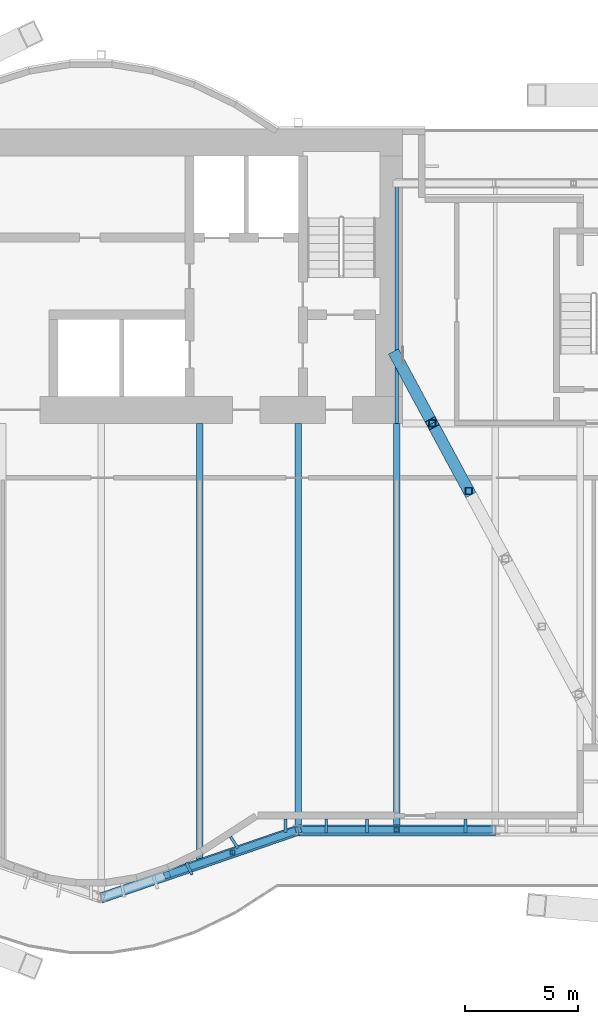
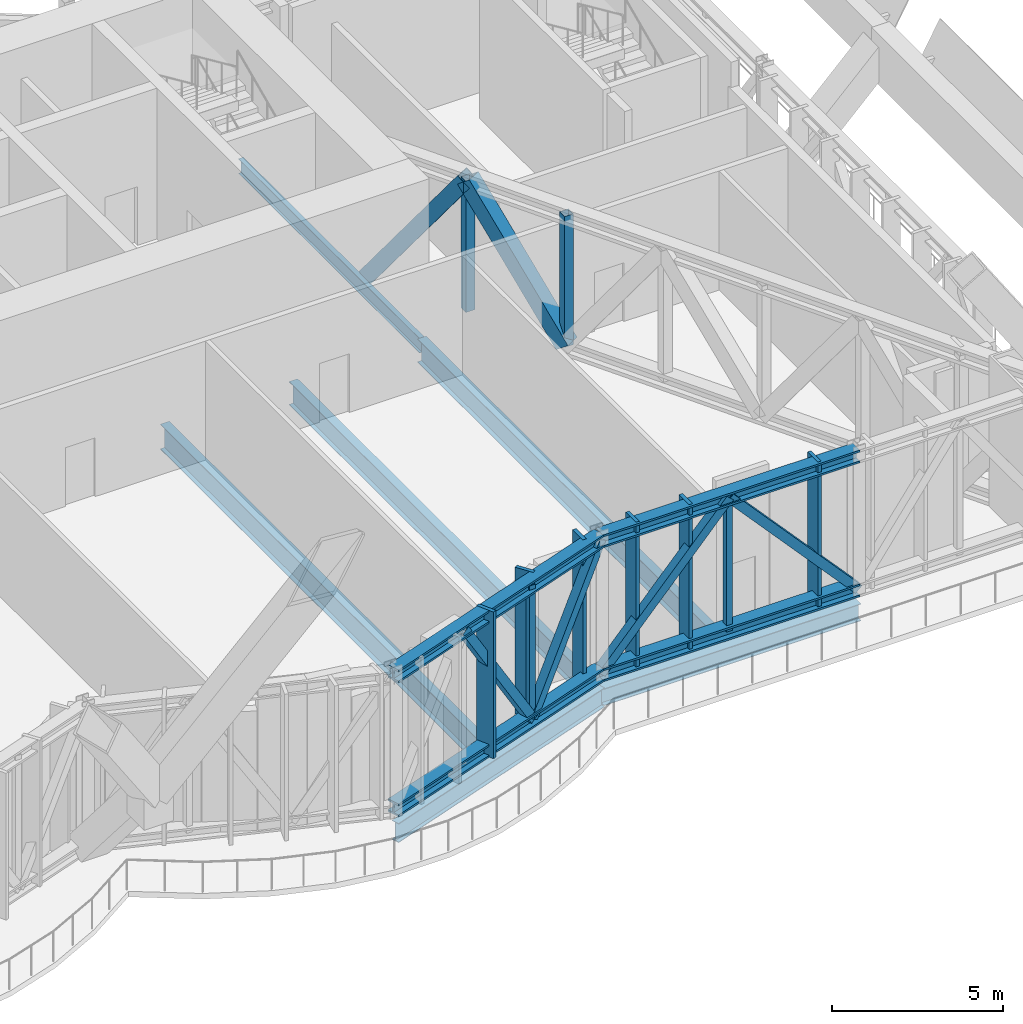
# One storey, part 11 of 30: 20 members, 6 beams, 1 element without a shape of its own.
"""IFC4 building model written with IfcOpenShell, lengths in metres."""

from ifc_helpers import new_model, si_unit, direction, frame, origin, origin_2d, place, context, subcontext, project, spatial, rectangle, hollow_rectangle, i_section, extrude, material, material_profile, profile_set, type_object, element, aggregate, save


model = new_model("IFC4")

# Units and contexts
model_context = context("Model", 3, precision=1e-05, world=origin(), true_north=direction((0.0, 1.0)))
body_context = subcontext(model_context, "Body", "Model", "MODEL_VIEW")
ifc_project = project(units=[si_unit("LENGTHUNIT", "METRE"), si_unit("AREAUNIT", "SQUARE_METRE"), si_unit("VOLUMEUNIT", "CUBIC_METRE"), si_unit("PLANEANGLEUNIT", "RADIAN"), si_unit("MASSUNIT", "GRAM", prefix="KILO")], contexts=[model_context])

# Site, building, storey
site_placement = place(None, origin())
site = spatial("IfcSite", under=ifc_project, at=site_placement, CompositionType="ELEMENT")
building_placement = place(site_placement, origin())
building = spatial("IfcBuilding", under=site, at=building_placement, Name="Bicima Exchange Tower", CompositionType="ELEMENT")
storey_placement = place(building_placement, frame((0.0, 0.0, 185.5)))
storey = spatial("IfcBuildingStorey", under=building, at=storey_placement, Name="L41", CompositionType="ELEMENT", Elevation=185.5)

# Curtain wall, members
ifc_material_1 = material(Name="Anodised bronze aluminium", Category="aluminium")
curtain_wall_type = type_object("IfcCurtainWallType", Name="Band blade screen", PredefinedType="NOTDEFINED", material=ifc_material_1)
curtain_wall_placement = place(storey_placement, origin())
curtain_wall = element("IfcCurtainWall", 1, at=curtain_wall_placement, inside=storey, type_object=curtain_wall_type, Name="Band blade screen L41", PredefinedType="NOTDEFINED")
ifc_material_profile_1 = material_profile(ifc_material_1, rectangle(XDim=0.60009765625, YDim=0.1201171875, at=origin_2d()))
ifc_profile_set_1 = profile_set([ifc_material_profile_1], Name="Anodised bronze aluminium")
member_type_1 = type_object("IfcMemberType", Name="Band blade fin 600 x 120", PredefinedType="USERDEFINED", material=ifc_profile_set_1)
member_1_placement = place(storey_placement, frame((12.583740234375, -32.654541015625, 0.0), z_axis=(0.0, 0.0, 1.0), x_axis=(-0.436286748784, 0.899807686584, 0.0)))
member_1 = element("IfcMember", 2, at=member_1_placement, type_object=member_type_1, Name="Band blade fin 47", ObjectType="FIN", PredefinedType="USERDEFINED", context=body_context, shape_type="SweptSolid", body=[
    extrude(rectangle(XDim=0.60009765625, YDim=0.1201171875, at=origin_2d()), origin(), (0.0, 0.0, 1.0), 5.25),
])
member_2_placement = place(storey_placement, frame((14.5703125, -31.492431640625, 0.0), z_axis=(0.0, 0.0, 1.0), x_axis=(-0.542916511621, 0.839786676132, 0.0)))
member_2 = element("IfcMember", 3, at=member_2_placement, type_object=member_type_1, Name="Band blade fin 48", ObjectType="FIN", PredefinedType="USERDEFINED", context=body_context, shape_type="SweptSolid", body=[
    extrude(rectangle(XDim=0.60009765625, YDim=0.1201171875, at=origin_2d()), origin(), (0.0, 0.0, 1.0), 5.25),
])
member_3_placement = place(storey_placement, frame((16.832275390625, -30.760009765625, 0.0), z_axis=(0.0, 0.0, 1.0), x_axis=(0.0, 1.0, 0.0)))
member_3 = element("IfcMember", 4, at=member_3_placement, type_object=member_type_1, Name="Band blade fin 49", ObjectType="FIN", PredefinedType="USERDEFINED", context=body_context, shape_type="SweptSolid", body=[
    extrude(rectangle(XDim=0.60009765625, YDim=0.1201171875, at=origin_2d()), origin(), (0.0, 0.0, 1.0), 5.25),
])
member_4_placement = place(storey_placement, frame((18.63232421875, -30.760009765625, 0.0), z_axis=(0.0, 0.0, 1.0), x_axis=(0.0, 1.0, 0.0)))
member_4 = element("IfcMember", 5, at=member_4_placement, type_object=member_type_1, Name="Band blade fin 50", ObjectType="FIN", PredefinedType="USERDEFINED", context=body_context, shape_type="SweptSolid", body=[
    extrude(rectangle(XDim=0.60009765625, YDim=0.1201171875, at=origin_2d()), origin(), (0.0, 0.0, 1.0), 5.25),
])
member_5_placement = place(storey_placement, frame((20.432373046875, -30.760009765625, 0.0), z_axis=(0.0, 0.0, 1.0), x_axis=(0.0, 1.0, 0.0)))
member_5 = element("IfcMember", 6, at=member_5_placement, type_object=member_type_1, Name="Band blade fin 51", ObjectType="FIN", PredefinedType="USERDEFINED", context=body_context, shape_type="SweptSolid", body=[
    extrude(rectangle(XDim=0.60009765625, YDim=0.1201171875, at=origin_2d()), origin(), (0.0, 0.0, 1.0), 5.25),
])
member_6_placement = place(storey_placement, frame((24.787109375, -30.760009765625, 0.0), z_axis=(0.0, 0.0, 1.0), x_axis=(0.0, 1.0, 0.0)))
member_6 = element("IfcMember", 7, at=member_6_placement, type_object=member_type_1, Name="Band blade fin 52", ObjectType="FIN", PredefinedType="USERDEFINED", context=body_context, shape_type="SweptSolid", body=[
    extrude(rectangle(XDim=0.60009765625, YDim=0.1201171875, at=origin_2d()), origin(), (0.0, 0.0, 1.0), 5.25),
])
aggregate(curtain_wall, [member_1, member_2, member_3, member_4, member_5, member_6])

# Members
ifc_material_2 = material(Name="Steel ASTM A992 Gr 50", Category="steel")
ifc_material_profile_2 = material_profile(ifc_material_2, i_section(OverallWidth=0.419189453125, OverallDepth=0.45458984375, WebThickness=0.042236328125, FlangeThickness=0.067626953125, at=origin_2d()))
ifc_profile_set_2 = profile_set([ifc_material_profile_2], Name="Steel ASTM A992 Gr 50")
member_type_2 = type_object("IfcMemberType", Name="Belt truss chord W14x370", PredefinedType="CHORD", material=ifc_profile_set_2)
for number, where, z_axis, x_axis, name in (
    (8, (8.699951171875, -33.92919921875, 5.022705078125), (0.945666456746, 0.325138359143, 0.0), (-0.325138359143, 0.945666456746, 0.0), "Top chord"),
    (9, (8.699951171875, -33.92919921875, 0.227294921875), (0.945666456746, 0.325138359143, 0.0), (-0.325138359143, 0.945666456746, 0.0), "Bottom chord"),
):
    element("IfcMember", number, at=place(storey_placement, frame(where, z_axis=z_axis, x_axis=x_axis)), inside=storey, type_object=member_type_2, Name=name, PredefinedType="CHORD", context=body_context, shape_type="SweptSolid", body=[
        extrude(i_section(OverallWidth=0.419189453125, OverallDepth=0.45458984375, WebThickness=0.042236328125, FlangeThickness=0.067626953125, at=origin_2d()), origin(), (0.0, 0.0, 1.0), 9.19970703125),
    ])
for number, where, z_axis, x_axis, name in (
    (10, (17.39990234375, -30.93798828125, 5.022705078125), (1.0, 0.0, 0.0), (0.0, 1.0, 0.0), "Top chord"),
    (11, (17.39990234375, -30.93798828125, 0.227294921875), (1.0, 0.0, 0.0), (0.0, 1.0, 0.0), "Bottom chord"),
):
    element("IfcMember", number, at=place(storey_placement, frame(where, z_axis=z_axis, x_axis=x_axis)), inside=storey, type_object=member_type_2, Name=name, PredefinedType="CHORD", context=body_context, shape_type="SweptSolid", body=[
        extrude(i_section(OverallWidth=0.419189453125, OverallDepth=0.45458984375, WebThickness=0.042236328125, FlangeThickness=0.067626953125, at=origin_2d()), origin(), (0.0, 0.0, 1.0), 8.7001953125),
    ])
ifc_material_3 = material(Name="Steel ASTM A572 Gr 50", Category="steel")
ifc_material_profile_3 = material_profile(ifc_material_3, hollow_rectangle(XDim=0.3046875, YDim=0.3046875, WallThickness=0.01171875, at=origin_2d()))
ifc_profile_set_3 = profile_set([ifc_material_profile_3], Name="Steel ASTM A572 Gr 50")
member_type_3 = type_object("IfcMemberType", Name="Belt truss diagonal HSS12x12x1/2", PredefinedType="STRUT", material=ifc_profile_set_3)
for number, where, z_axis, x_axis, name in (
    (12, (11.60009765625, -32.931884765625, 5.022705078125), (0.509468344066, 0.175127062538, -0.842479980986), (-0.325075318312, 0.945688129049, 0.0), "Truss diagonal"),
    (13, (14.5, -31.93505859375, 0.227294921875), (0.509464516765, 0.175168638362, 0.842473651987), (-0.325146518908, 0.945663651222, 0.0), "Truss diagonal"),
):
    element("IfcMember", number, at=place(storey_placement, frame(where, z_axis=z_axis, x_axis=x_axis)), inside=storey, type_object=member_type_3, Name=name, PredefinedType="STRUT", context=body_context, shape_type="SweptSolid", body=[
        extrude(hollow_rectangle(XDim=0.3046875, YDim=0.3046875, WallThickness=0.01171875, at=origin_2d()), origin(), (0.0, 0.0, 1.0), 5.692138671875),
    ])
for number, where, z_axis, x_axis, name in (
    (14, (17.39990234375, -30.93798828125, 0.227294921875), (0.671880370918, 0.0, 0.740659683779), (0.0, 1.0, 0.0), "Truss diagonal"),
    (15, (21.75, -30.93798828125, 5.022705078125), (0.671880370918, 0.0, -0.740659683779), (0.0, 1.0, 0.0), "Truss diagonal"),
):
    element("IfcMember", number, at=place(storey_placement, frame(where, z_axis=z_axis, x_axis=x_axis)), inside=storey, type_object=member_type_3, Name=name, PredefinedType="STRUT", context=body_context, shape_type="SweptSolid", body=[
        extrude(hollow_rectangle(XDim=0.3046875, YDim=0.3046875, WallThickness=0.01171875, at=origin_2d()), origin(), (0.0, 0.0, 1.0), 6.474609375),
    ])
ifc_material_profile_4 = material_profile(ifc_material_3, hollow_rectangle(XDim=0.203125, YDim=0.203125, WallThickness=0.01171875, at=origin_2d()))
ifc_profile_set_4 = profile_set([ifc_material_profile_4], Name="Steel ASTM A572 Gr 50")
member_type_4 = type_object("IfcMemberType", Name="Belt truss post HSS8x8x1/2", PredefinedType="POST", material=ifc_profile_set_4)
for number, where, z_axis, x_axis, name in (
    (16, (14.5, -31.93505859375, 0.227294921875), (0.0, 0.0, 1.0), (1.0, 0.0, 0.0), "Truss post"),
    (17, (21.75, -30.93798828125, 0.227294921875), (0.0, 0.0, 1.0), (1.0, 0.0, 0.0), "Truss post"),
):
    element("IfcMember", number, at=place(storey_placement, frame(where, z_axis=z_axis, x_axis=x_axis)), inside=storey, type_object=member_type_4, Name=name, PredefinedType="POST", context=body_context, shape_type="SweptSolid", body=[
        extrude(hollow_rectangle(XDim=0.203125, YDim=0.203125, WallThickness=0.01171875, at=origin_2d()), origin(), (0.0, 0.0, 1.0), 4.79541015625),
    ])

# Beams
ifc_material_profile_5 = material_profile(ifc_material_2, i_section(OverallWidth=0.165771484375, OverallDepth=0.5283203125, WebThickness=0.009765625, FlangeThickness=0.013671875, at=origin_2d()))
ifc_profile_set_5 = profile_set([ifc_material_profile_5], Name="Steel ASTM A992 Gr 50")
beam_type_1 = type_object("IfcBeamType", Name="Floor beam W21x50", PredefinedType="JOIST", material=ifc_profile_set_5)
beam_1_placement = place(storey_placement, frame((21.75, -2.39990234375, -0.464111328125), z_axis=(0.0, -1.0, 0.0), x_axis=(1.0, 0.0, 0.0)))
element("IfcBeam", 18, at=beam_1_placement, inside=storey, type_object=beam_type_1, Name="Floor beam", PredefinedType="JOIST", context=body_context, shape_type="SweptSolid", body=[
    extrude(i_section(OverallWidth=0.165771484375, OverallDepth=0.5283203125, WebThickness=0.009765625, FlangeThickness=0.013671875, at=origin_2d()), origin(), (0.0, 0.0, 1.0), 10.60009765625),
])
ifc_material_profile_6 = material_profile(ifc_material_2, i_section(OverallWidth=0.2919921875, OverallDepth=0.835693359375, WebThickness=0.013916015625, FlangeThickness=0.018798828125, at=origin_2d()))
ifc_profile_set_6 = profile_set([ifc_material_profile_6], Name="Steel ASTM A992 Gr 50")
beam_type_2 = type_object("IfcBeamType", Name="Floor beam W33x118", PredefinedType="JOIST", material=ifc_profile_set_6)
beam_2_placement = place(storey_placement, frame((17.39990234375, -13.0, -0.617919921875), z_axis=(0.0, -1.0, 0.0), x_axis=(1.0, 0.0, 0.0)))
element("IfcBeam", 19, at=beam_2_placement, inside=storey, type_object=beam_type_2, Name="Floor beam", PredefinedType="JOIST", context=body_context, shape_type="SweptSolid", body=[
    extrude(i_section(OverallWidth=0.2919921875, OverallDepth=0.835693359375, WebThickness=0.013916015625, FlangeThickness=0.018798828125, at=origin_2d()), origin(), (0.0, 0.0, 1.0), 17.92431640625),
])
beam_3_placement = place(storey_placement, frame((21.75, -13.0, -0.617919921875), z_axis=(0.0, -1.0, 0.0), x_axis=(1.0, 0.0, 0.0)))
element("IfcBeam", 20, at=beam_3_placement, inside=storey, type_object=beam_type_2, Name="Floor beam", PredefinedType="JOIST", context=body_context, shape_type="SweptSolid", body=[
    extrude(i_section(OverallWidth=0.2919921875, OverallDepth=0.835693359375, WebThickness=0.013916015625, FlangeThickness=0.018798828125, at=origin_2d()), origin(), (0.0, 0.0, 1.0), 17.8974609375),
])
ifc_material_profile_7 = material_profile(ifc_material_2, i_section(OverallWidth=0.3046875, OverallDepth=0.904296875, WebThickness=0.01513671875, FlangeThickness=0.02001953125, at=origin_2d()))
ifc_profile_set_7 = profile_set([ifc_material_profile_7], Name="Steel ASTM A992 Gr 50")
beam_type_3 = type_object("IfcBeamType", Name="Floor beam W36x135", PredefinedType="JOIST", material=ifc_profile_set_7)
beam_4_placement = place(storey_placement, frame((13.050048828125, -13.0, -0.652099609375), z_axis=(0.0, -1.0, 0.0), x_axis=(1.0, 0.0, 0.0)))
element("IfcBeam", 21, at=beam_4_placement, inside=storey, type_object=beam_type_3, Name="Floor beam", PredefinedType="JOIST", context=body_context, shape_type="SweptSolid", body=[
    extrude(i_section(OverallWidth=0.3046875, OverallDepth=0.904296875, WebThickness=0.01513671875, FlangeThickness=0.02001953125, at=origin_2d()), origin(), (0.0, 0.0, 1.0), 19.419921875),
])
ifc_material_profile_8 = material_profile(ifc_material_2, i_section(OverallWidth=0.3251953125, OverallDepth=0.612060546875, WebThickness=0.0126953125, FlangeThickness=0.01904296875, at=origin_2d()))
ifc_profile_set_8 = profile_set([ifc_material_profile_8], Name="Steel ASTM A992 Gr 50")
beam_type_4 = type_object("IfcBeamType", Name="Front girder W24x104", PredefinedType="BEAM", material=ifc_profile_set_8)
beam_5_placement = place(storey_placement, frame((17.39990234375, -31.06005859375, -0.506103515625), z_axis=(1.0, 0.0, 0.0), x_axis=(0.0, 1.0, 0.0)))
element("IfcBeam", 22, at=beam_5_placement, inside=storey, type_object=beam_type_4, Name="Front girder", PredefinedType="BEAM", context=body_context, shape_type="SweptSolid", body=[
    extrude(i_section(OverallWidth=0.3251953125, OverallDepth=0.612060546875, WebThickness=0.0126953125, FlangeThickness=0.01904296875, at=origin_2d()), origin(), (0.0, 0.0, 1.0), 8.7001953125),
])
ifc_material_profile_9 = material_profile(ifc_material_2, i_section(OverallWidth=0.256591796875, OverallDepth=0.693359375, WebThickness=0.014404296875, FlangeThickness=0.023681640625, at=origin_2d()))
ifc_profile_set_9 = profile_set([ifc_material_profile_9], Name="Steel ASTM A992 Gr 50")
beam_type_5 = type_object("IfcBeamType", Name="Front girder W27x114", PredefinedType="BEAM", material=ifc_profile_set_9)
beam_6_placement = place(storey_placement, frame((8.699951171875, -34.051025390625, -0.546630859375), z_axis=(0.945674616091, 0.32511462668, 0.0), x_axis=(-0.32511462668, 0.945674616091, 0.0)))
element("IfcBeam", 23, at=beam_6_placement, inside=storey, type_object=beam_type_5, Name="Front girder", PredefinedType="BEAM", context=body_context, shape_type="SweptSolid", body=[
    extrude(i_section(OverallWidth=0.256591796875, OverallDepth=0.693359375, WebThickness=0.014404296875, FlangeThickness=0.023681640625, at=origin_2d()), origin(), (0.0, 0.0, 1.0), 9.19970703125),
])

# Members
ifc_material_profile_10 = material_profile(ifc_material_3, hollow_rectangle(XDim=0.508056640625, YDim=0.508056640625, WallThickness=0.017822265625, at=origin_2d()))
ifc_profile_set_10 = profile_set([ifc_material_profile_10], Name="Steel ASTM A572 Gr 50")
member_type_5 = type_object("IfcMemberType", Name="Outrigger truss diagonal HSS20x20x3/4", PredefinedType="STRUT", material=ifc_profile_set_10)
member_7_placement = place(storey_placement, frame((21.699951171875, -10.0, 0.284423828125), z_axis=(0.279041416533, -0.517062225555, 0.80918634613), x_axis=(0.880027890758, 0.474922005688, 0.0)))
element("IfcMember", 24, at=member_7_placement, inside=storey, type_object=member_type_5, Name="Truss diagonal", PredefinedType="STRUT", context=body_context, shape_type="SweptSolid", body=[
    extrude(hollow_rectangle(XDim=0.508056640625, YDim=0.508056640625, WallThickness=0.017822265625, at=origin_2d()), origin(), (0.0, 0.0, 1.0), 5.784912109375),
])
member_8_placement = place(storey_placement, frame((23.314208984375, -12.9912109375, 4.965576171875), z_axis=(0.279080332075, -0.517056136183, -0.809176816453), x_axis=(0.879997870198, 0.474977629417, 0.0)))
element("IfcMember", 25, at=member_8_placement, inside=storey, type_object=member_type_5, Name="Truss diagonal", PredefinedType="STRUT", context=body_context, shape_type="SweptSolid", body=[
    extrude(hollow_rectangle(XDim=0.508056640625, YDim=0.508056640625, WallThickness=0.017822265625, at=origin_2d()), origin(), (0.0, 0.0, 1.0), 5.78515625),
])
member_type_6 = type_object("IfcMemberType", Name="Outrigger truss post HSS12x12x1/2", PredefinedType="POST", material=ifc_profile_set_3)
for number, where, z_axis, x_axis, name in (
    (26, (23.314208984375, -12.9912109375, 0.284423828125), (0.0, 0.0, 1.0), (1.0, 0.0, 0.0), "Truss post"),
    (27, (24.9287109375, -15.982421875, 0.284423828125), (0.0, 0.0, 1.0), (1.0, 0.0, 0.0), "Truss post"),
):
    element("IfcMember", number, at=place(storey_placement, frame(where, z_axis=z_axis, x_axis=x_axis)), inside=storey, type_object=member_type_6, Name=name, PredefinedType="POST", context=body_context, shape_type="SweptSolid", body=[
        extrude(hollow_rectangle(XDim=0.3046875, YDim=0.3046875, WallThickness=0.01171875, at=origin_2d()), origin(), (0.0, 0.0, 1.0), 4.68115234375),
    ])

save(model, "model.ifc")
